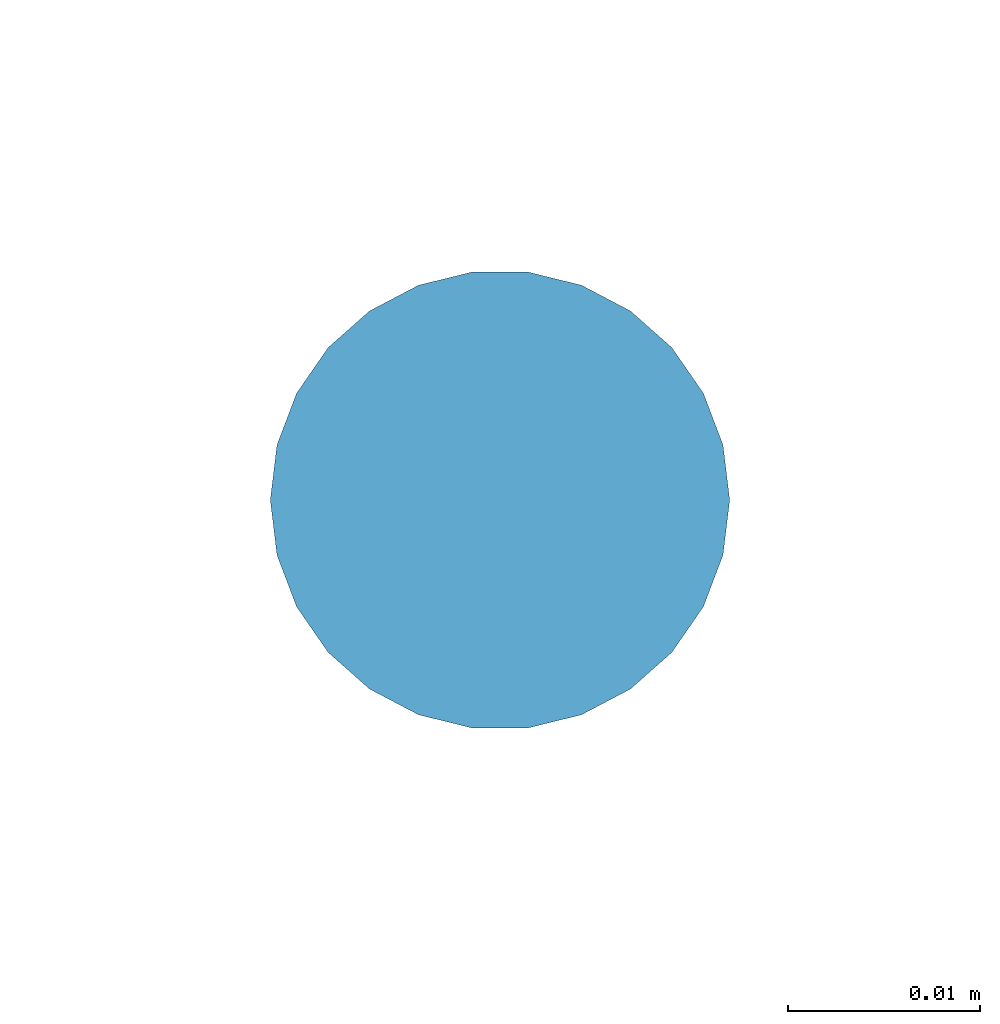
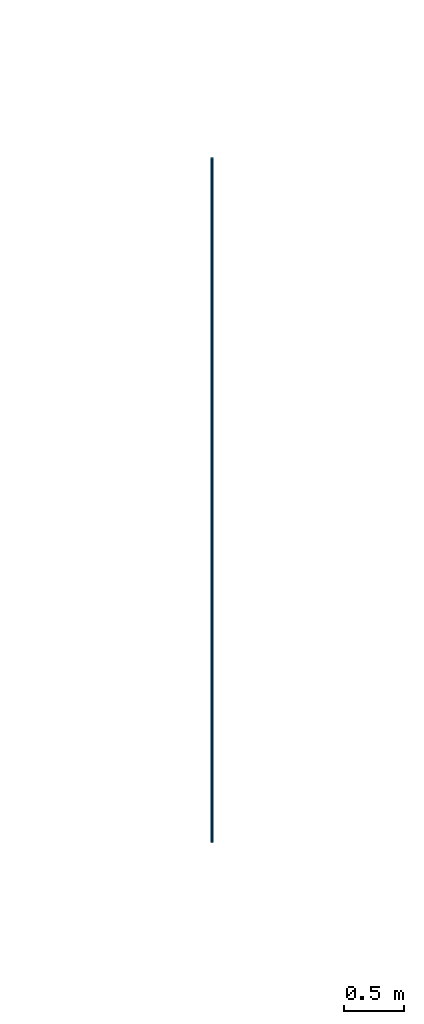
# One storey, part 20 of 62: 1 member.
"""IFC4 building model written with IfcOpenShell, lengths in metres."""

from ifc_helpers import new_model, si_unit, direction, frame, origin, origin_2d, place, context, subcontext, project, spatial, circle, extrude, material, material_profile, profile_set, type_object, element, save


model = new_model("IFC4")

# Units and contexts
model_context = context("Model", 3, precision=1e-05, world=origin(), true_north=direction((0.0, 1.0)))
body_context = subcontext(model_context, "Body", "Model", "MODEL_VIEW")
ifc_project = project(units=[si_unit("LENGTHUNIT", "METRE"), si_unit("AREAUNIT", "SQUARE_METRE"), si_unit("VOLUMEUNIT", "CUBIC_METRE"), si_unit("PLANEANGLEUNIT", "RADIAN"), si_unit("MASSUNIT", "GRAM", prefix="KILO")], contexts=[model_context])

# Site, building, storey
site_placement = place(None, origin())
site = spatial("IfcSite", under=ifc_project, at=site_placement, CompositionType="ELEMENT")
building_placement = place(site_placement, origin())
building = spatial("IfcBuilding", under=site, at=building_placement, Name="Hortulan Conservatory and Botanical Research Centre", CompositionType="ELEMENT")
storey_placement = place(building_placement, frame((0.0, 0.0, 15.0)))
storey = spatial("IfcBuildingStorey", under=building, at=storey_placement, Name="L03", CompositionType="ELEMENT", Elevation=15.0)

# Member
ifc_material = material(Name="Steel Grade 300PLUS (AS/NZS 3679.1, 280 MPa minimum yield)", Category="steel")
ifc_material_profile = material_profile(ifc_material, circle(Radius=0.011962890625, at=origin_2d()), Name="24 dia rod")
ifc_profile_set = profile_set([ifc_material_profile], Name="Steel Grade 300PLUS (AS/NZS 3679.1, 280 MPa minimum yield)")
member_type = type_object("IfcMemberType", Name="Vault Hanger 24 dia rod", PredefinedType="POST", material=ifc_profile_set)
member_placement = place(storey_placement, frame((99.0, 63.0, -1.0), z_axis=(0.0, 0.0, 1.0), x_axis=(1.0, 0.0, 0.0)))
element("IfcMember", 1, at=member_placement, inside=storey, type_object=member_type, Name="Vault hanger 4", PredefinedType="POST", context=body_context, shape_type="SweptSolid", body=[
    extrude(circle(Radius=0.011962890625, at=origin_2d()), origin(), (0.0, 0.0, 1.0), 7.0),
])

save(model, "model.ifc")
